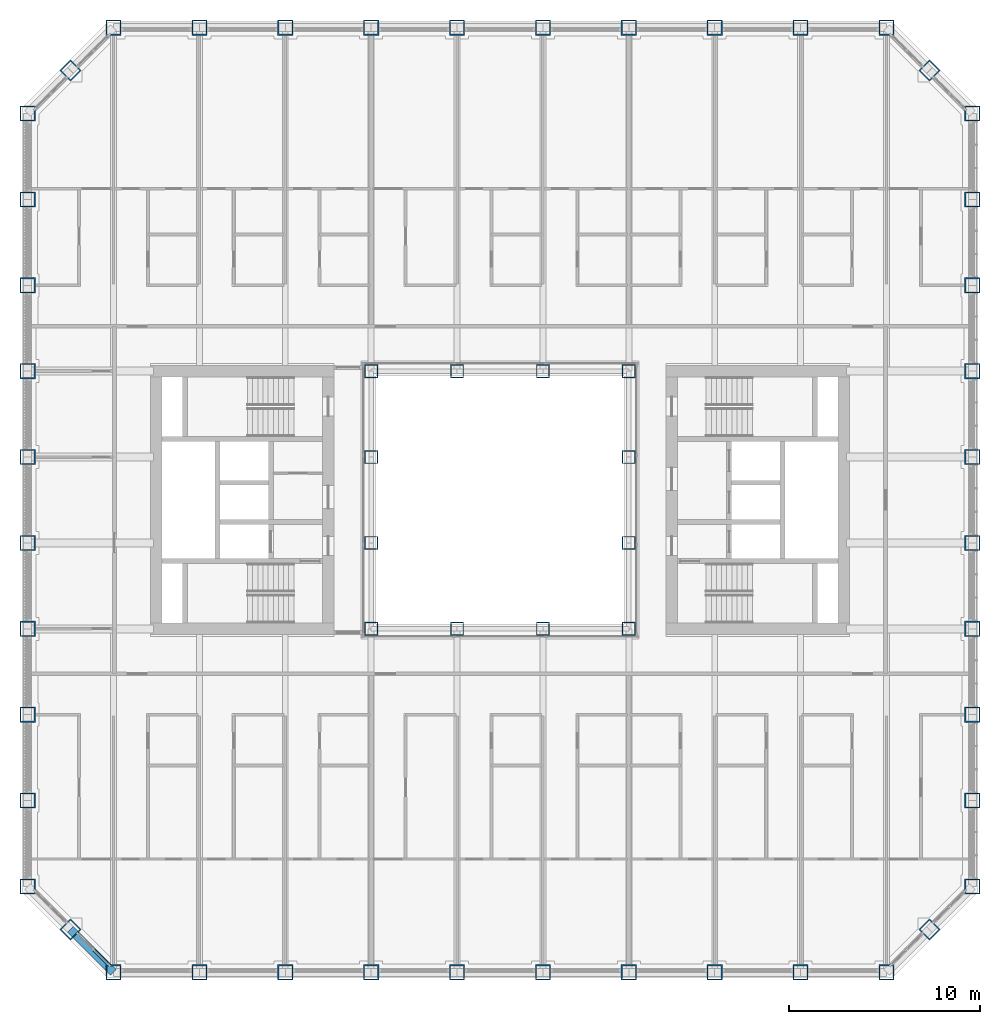
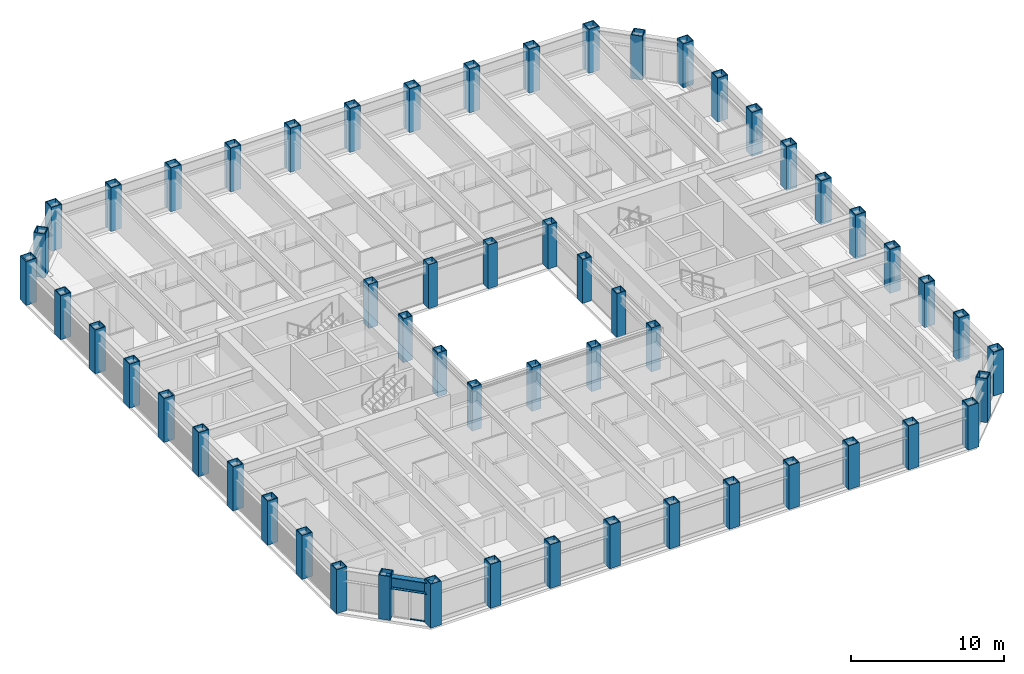
# One storey, part 1 of 21: 56 columns, 2 members, 1 beam, 1 element without a shape of its own.
"""IFC4 building model written with IfcOpenShell, lengths in metres."""

from ifc_helpers import new_model, si_unit, direction, frame, origin, origin_2d, place, context, subcontext, project, spatial, rectangle, hollow_rectangle, i_section, extrude, material, material_profile, profile_set, type_object, element, aggregate, save


model = new_model("IFC4")

# Units and contexts
model_context = context("Model", 3, precision=1e-05, world=origin(), true_north=direction((0.0, 1.0)))
body_context = subcontext(model_context, "Body", "Model", "MODEL_VIEW")
ifc_project = project(units=[si_unit("LENGTHUNIT", "METRE"), si_unit("AREAUNIT", "SQUARE_METRE"), si_unit("VOLUMEUNIT", "CUBIC_METRE"), si_unit("PLANEANGLEUNIT", "RADIAN"), si_unit("MASSUNIT", "GRAM", prefix="KILO")], contexts=[model_context])

# Site, building, storey
site_placement = place(None, origin())
site = spatial("IfcSite", under=ifc_project, at=site_placement, CompositionType="ELEMENT")
building_placement = place(site_placement, origin())
building = spatial("IfcBuilding", under=site, at=building_placement, Name="Msasa Ring Tower", CompositionType="ELEMENT")
storey_placement = place(building_placement, frame((0.0, 0.0, 93.0)))
storey = spatial("IfcBuildingStorey", under=building, at=storey_placement, Name="L24", CompositionType="ELEMENT", Elevation=93.0)

# Columns
ifc_material_1 = material(Name="Steel S355", Category="steel")
ifc_material_profile_1 = material_profile(ifc_material_1, hollow_rectangle(XDim=0.699951171875, YDim=0.699951171875, WallThickness=0.050048828125, at=origin_2d()), Name="BOX 700x700x50")
ifc_profile_set_1 = profile_set([ifc_material_profile_1], Name="Steel S355")
column_type_1 = type_object("IfcColumnType", Name="IC3 BOX 700x700x50", PredefinedType="COLUMN", material=ifc_profile_set_1)
for number, where, z_axis, x_axis, name in (
    (1, (-6.75, -6.75, 0.0), (0.0, 0.0, 1.0), (1.0, 0.0, 0.0), "Inner ring column IR-6.75-6.75 L24"),
    (2, (-6.75, -2.25, 0.0), (0.0, 0.0, 1.0), (1.0, 0.0, 0.0), "Inner ring column IR-6.75-2.25 L24"),
    (3, (-6.75, 2.25, 0.0), (0.0, 0.0, 1.0), (1.0, 0.0, 0.0), "Inner ring column IR-6.75+2.25 L24"),
    (4, (-6.75, 6.75, 0.0), (0.0, 0.0, 1.0), (1.0, 0.0, 0.0), "Inner ring column IR-6.75+6.75 L24"),
    (5, (-2.25, -6.75, 0.0), (0.0, 0.0, 1.0), (1.0, 0.0, 0.0), "Inner ring column IR-2.25-6.75 L24"),
    (6, (-2.25, 6.75, 0.0), (0.0, 0.0, 1.0), (1.0, 0.0, 0.0), "Inner ring column IR-2.25+6.75 L24"),
    (7, (2.25, -6.75, 0.0), (0.0, 0.0, 1.0), (1.0, 0.0, 0.0), "Inner ring column IR+2.25-6.75 L24"),
    (8, (2.25, 6.75, 0.0), (0.0, 0.0, 1.0), (1.0, 0.0, 0.0), "Inner ring column IR+2.25+6.75 L24"),
    (9, (6.75, -6.75, 0.0), (0.0, 0.0, 1.0), (1.0, 0.0, 0.0), "Inner ring column IR+6.75-6.75 L24"),
    (10, (6.75, -2.25, 0.0), (0.0, 0.0, 1.0), (1.0, 0.0, 0.0), "Inner ring column IR+6.75-2.25 L24"),
    (11, (6.75, 2.25, 0.0), (0.0, 0.0, 1.0), (1.0, 0.0, 0.0), "Inner ring column IR+6.75+2.25 L24"),
    (12, (6.75, 6.75, 0.0), (0.0, 0.0, 1.0), (1.0, 0.0, 0.0), "Inner ring column IR+6.75+6.75 L24"),
):
    element("IfcColumn", number, at=place(storey_placement, frame(where, z_axis=z_axis, x_axis=x_axis)), inside=storey, type_object=column_type_1, Name=name, PredefinedType="COLUMN", context=body_context, shape_type="SweptSolid", body=[
        extrude(hollow_rectangle(XDim=0.699951171875, YDim=0.699951171875, WallThickness=0.050048828125, at=origin_2d()), origin(), (0.0, 0.0, 1.0), 3.5),
    ])
ifc_material_2 = material(Name="Steel S355", Category="steel")
ifc_material_profile_2 = material_profile(ifc_material_2, hollow_rectangle(XDim=0.800048828125, YDim=0.800048828125, WallThickness=0.06005859375, at=origin_2d()), Name="BOX 800x800x60")
ifc_profile_set_2 = profile_set([ifc_material_profile_2], Name="Steel S355")
column_type_2 = type_object("IfcColumnType", Name="TC3 BOX 800x800x60", PredefinedType="COLUMN", material=ifc_profile_set_2)
for number, where, z_axis, x_axis, name in (
    (13, (-20.25, -24.75, 0.0), (0.0, 0.0, 1.0), (0.0, 1.0, 0.0), "Tube column S-20.25 L24"),
    (14, (-20.25, 24.75, 0.0), (0.0, 0.0, 1.0), (0.0, 1.0, 0.0), "Tube column N-20.25 L24"),
    (15, (24.75, -20.25, 0.0), (0.0, 0.0, 1.0), (1.0, 0.0, 0.0), "Tube column E-20.25 L24"),
    (16, (-24.75, -20.25, 0.0), (0.0, 0.0, 1.0), (1.0, 0.0, 0.0), "Tube column W-20.25 L24"),
    (17, (-15.75, -24.75, 0.0), (0.0, 0.0, 1.0), (0.0, 1.0, 0.0), "Tube column S-15.75 L24"),
    (18, (-15.75, 24.75, 0.0), (0.0, 0.0, 1.0), (0.0, 1.0, 0.0), "Tube column N-15.75 L24"),
    (19, (24.75, -15.75, 0.0), (0.0, 0.0, 1.0), (1.0, 0.0, 0.0), "Tube column E-15.75 L24"),
    (20, (-24.75, -15.75, 0.0), (0.0, 0.0, 1.0), (1.0, 0.0, 0.0), "Tube column W-15.75 L24"),
    (21, (-11.25, -24.75, 0.0), (0.0, 0.0, 1.0), (0.0, 1.0, 0.0), "Tube column S-11.25 L24"),
    (22, (-11.25, 24.75, 0.0), (0.0, 0.0, 1.0), (0.0, 1.0, 0.0), "Tube column N-11.25 L24"),
    (23, (24.75, -11.25, 0.0), (0.0, 0.0, 1.0), (1.0, 0.0, 0.0), "Tube column E-11.25 L24"),
    (24, (-24.75, -11.25, 0.0), (0.0, 0.0, 1.0), (1.0, 0.0, 0.0), "Tube column W-11.25 L24"),
    (25, (-6.75, -24.75, 0.0), (0.0, 0.0, 1.0), (0.0, 1.0, 0.0), "Tube column S-6.75 L24"),
    (26, (-6.75, 24.75, 0.0), (0.0, 0.0, 1.0), (0.0, 1.0, 0.0), "Tube column N-6.75 L24"),
    (27, (24.75, -6.75, 0.0), (0.0, 0.0, 1.0), (1.0, 0.0, 0.0), "Tube column E-6.75 L24"),
    (28, (-24.75, -6.75, 0.0), (0.0, 0.0, 1.0), (1.0, 0.0, 0.0), "Tube column W-6.75 L24"),
    (29, (-2.25, -24.75, 0.0), (0.0, 0.0, 1.0), (0.0, 1.0, 0.0), "Tube column S-2.25 L24"),
    (30, (-2.25, 24.75, 0.0), (0.0, 0.0, 1.0), (0.0, 1.0, 0.0), "Tube column N-2.25 L24"),
    (31, (24.75, -2.25, 0.0), (0.0, 0.0, 1.0), (1.0, 0.0, 0.0), "Tube column E-2.25 L24"),
    (32, (-24.75, -2.25, 0.0), (0.0, 0.0, 1.0), (1.0, 0.0, 0.0), "Tube column W-2.25 L24"),
    (33, (2.25, -24.75, 0.0), (0.0, 0.0, 1.0), (0.0, 1.0, 0.0), "Tube column S+2.25 L24"),
    (34, (2.25, 24.75, 0.0), (0.0, 0.0, 1.0), (0.0, 1.0, 0.0), "Tube column N+2.25 L24"),
    (35, (24.75, 2.25, 0.0), (0.0, 0.0, 1.0), (1.0, 0.0, 0.0), "Tube column E+2.25 L24"),
    (36, (-24.75, 2.25, 0.0), (0.0, 0.0, 1.0), (1.0, 0.0, 0.0), "Tube column W+2.25 L24"),
    (37, (6.75, -24.75, 0.0), (0.0, 0.0, 1.0), (0.0, 1.0, 0.0), "Tube column S+6.75 L24"),
    (38, (6.75, 24.75, 0.0), (0.0, 0.0, 1.0), (0.0, 1.0, 0.0), "Tube column N+6.75 L24"),
    (39, (24.75, 6.75, 0.0), (0.0, 0.0, 1.0), (1.0, 0.0, 0.0), "Tube column E+6.75 L24"),
    (40, (-24.75, 6.75, 0.0), (0.0, 0.0, 1.0), (1.0, 0.0, 0.0), "Tube column W+6.75 L24"),
    (41, (11.25, -24.75, 0.0), (0.0, 0.0, 1.0), (0.0, 1.0, 0.0), "Tube column S+11.25 L24"),
    (42, (11.25, 24.75, 0.0), (0.0, 0.0, 1.0), (0.0, 1.0, 0.0), "Tube column N+11.25 L24"),
    (43, (24.75, 11.25, 0.0), (0.0, 0.0, 1.0), (1.0, 0.0, 0.0), "Tube column E+11.25 L24"),
    (44, (-24.75, 11.25, 0.0), (0.0, 0.0, 1.0), (1.0, 0.0, 0.0), "Tube column W+11.25 L24"),
    (45, (15.75, -24.75, 0.0), (0.0, 0.0, 1.0), (0.0, 1.0, 0.0), "Tube column S+15.75 L24"),
    (46, (15.75, 24.75, 0.0), (0.0, 0.0, 1.0), (0.0, 1.0, 0.0), "Tube column N+15.75 L24"),
    (47, (24.75, 15.75, 0.0), (0.0, 0.0, 1.0), (1.0, 0.0, 0.0), "Tube column E+15.75 L24"),
    (48, (-24.75, 15.75, 0.0), (0.0, 0.0, 1.0), (1.0, 0.0, 0.0), "Tube column W+15.75 L24"),
    (49, (20.25, -24.75, 0.0), (0.0, 0.0, 1.0), (0.0, 1.0, 0.0), "Tube column S+20.25 L24"),
    (50, (20.25, 24.75, 0.0), (0.0, 0.0, 1.0), (0.0, 1.0, 0.0), "Tube column N+20.25 L24"),
    (51, (24.75, 20.25, 0.0), (0.0, 0.0, 1.0), (1.0, 0.0, 0.0), "Tube column E+20.25 L24"),
    (52, (-24.75, 20.25, 0.0), (0.0, 0.0, 1.0), (1.0, 0.0, 0.0), "Tube column W+20.25 L24"),
    (53, (22.5, -22.5, 0.0), (0.0, 0.0, 1.0), (0.707106781187, -0.707106781187, 0.0), "Tube column SE L24"),
    (54, (22.5, 22.5, 0.0), (0.0, 0.0, 1.0), (0.707106781187, 0.707106781187, 0.0), "Tube column NE L24"),
    (55, (-22.5, 22.5, 0.0), (0.0, 0.0, 1.0), (0.707106781187, -0.707106781187, 0.0), "Tube column NW L24"),
    (56, (-22.5, -22.5, 0.0), (0.0, 0.0, 1.0), (0.707106781187, 0.707106781187, 0.0), "Tube column SW L24"),
):
    element("IfcColumn", number, at=place(storey_placement, frame(where, z_axis=z_axis, x_axis=x_axis)), inside=storey, type_object=column_type_2, Name=name, PredefinedType="COLUMN", context=body_context, shape_type="SweptSolid", body=[
        extrude(hollow_rectangle(XDim=0.800048828125, YDim=0.800048828125, WallThickness=0.06005859375, at=origin_2d()), origin(), (0.0, 0.0, 1.0), 3.5),
    ])

# Curtain wall, members
ifc_material_3 = material(Name="Aluminium curtain wall with clear glass", Category="aluminium")
curtain_wall_type = type_object("IfcCurtainWallType", Name="CW-C CHAMFER CORNER CURTAIN WALL", PredefinedType="NOTDEFINED", material=ifc_material_3)
curtain_wall_placement = place(storey_placement, origin())
curtain_wall = element("IfcCurtainWall", 57, at=curtain_wall_placement, inside=storey, type_object=curtain_wall_type, Name="Chamfer corner curtain wall SW L24", PredefinedType="NOTDEFINED")
ifc_material_4 = material(Name="Aluminium transom", Category="aluminium")
ifc_material_profile_3 = material_profile(ifc_material_4, rectangle(XDim=0.139892578125, YDim=0.06494140625, at=origin_2d()), Name="AL 65x140")
ifc_profile_set_3 = profile_set([ifc_material_profile_3], Name="Aluminium transom")
member_type = type_object("IfcMemberType", Name="CW-C TRANSOM 65x140", PredefinedType="USERDEFINED", material=ifc_profile_set_3)
member_1_placement = place(storey_placement, frame((-21.28125, -23.577392578125, 0.032470703125), z_axis=(0.707106781187, -0.707106781187, 0.0), x_axis=(0.707106781187, 0.707106781187, 0.0)))
member_1 = element("IfcMember", 58, at=member_1_placement, type_object=member_type, Name="CW-C transom 2.1", ObjectType="TRANSOM", PredefinedType="USERDEFINED", context=body_context, shape_type="SweptSolid", body=[
    extrude(rectangle(XDim=0.139892578125, YDim=0.06494140625, at=origin_2d()), origin(), (0.0, 0.0, 1.0), 1.08837890625),
])
member_2_placement = place(storey_placement, frame((-21.28125, -23.577392578125, 2.346435546875), z_axis=(0.707106781187, -0.707106781187, 0.0), x_axis=(0.707106781187, 0.707106781187, 0.0)))
member_2 = element("IfcMember", 59, at=member_2_placement, type_object=member_type, Name="CW-C transom 2.2", ObjectType="TRANSOM", PredefinedType="USERDEFINED", context=body_context, shape_type="SweptSolid", body=[
    extrude(rectangle(XDim=0.139892578125, YDim=0.06494140625, at=origin_2d()), origin(), (0.0, 0.0, 1.0), 1.08837890625),
])
aggregate(curtain_wall, [member_1, member_2])

# Beam
ifc_material_5 = material(Name="Steel S355", Category="steel")
ifc_material_profile_4 = material_profile(ifc_material_5, i_section(OverallWidth=0.42041015625, OverallDepth=0.9208984375, WebThickness=0.021484375, FlangeThickness=0.03662109375, FilletRadius=0.024169921875, at=origin_2d()), Name="UB 914x419x388")
ifc_profile_set_4 = profile_set([ifc_material_profile_4], Name="Steel S355")
beam_type = type_object("IfcBeamType", Name="SB1 UB 914x419x388", PredefinedType="SPANDREL", material=ifc_profile_set_4)
beam_placement = place(storey_placement, frame((-22.5, -22.5, 2.839599609375), z_axis=(0.707106781187, -0.707106781187, 0.0), x_axis=(0.707106781187, 0.707106781187, 0.0)))
element("IfcBeam", 60, at=beam_placement, inside=storey, type_object=beam_type, Name="Spandrel SW to S-20.25 under L25", PredefinedType="SPANDREL", context=body_context, shape_type="SweptSolid", body=[
    extrude(i_section(OverallWidth=0.42041015625, OverallDepth=0.9208984375, WebThickness=0.021484375, FlangeThickness=0.03662109375, FilletRadius=0.024169921875, at=origin_2d()), origin(), (0.0, 0.0, 1.0), 3.181884765625),
])

save(model, "model.ifc")
